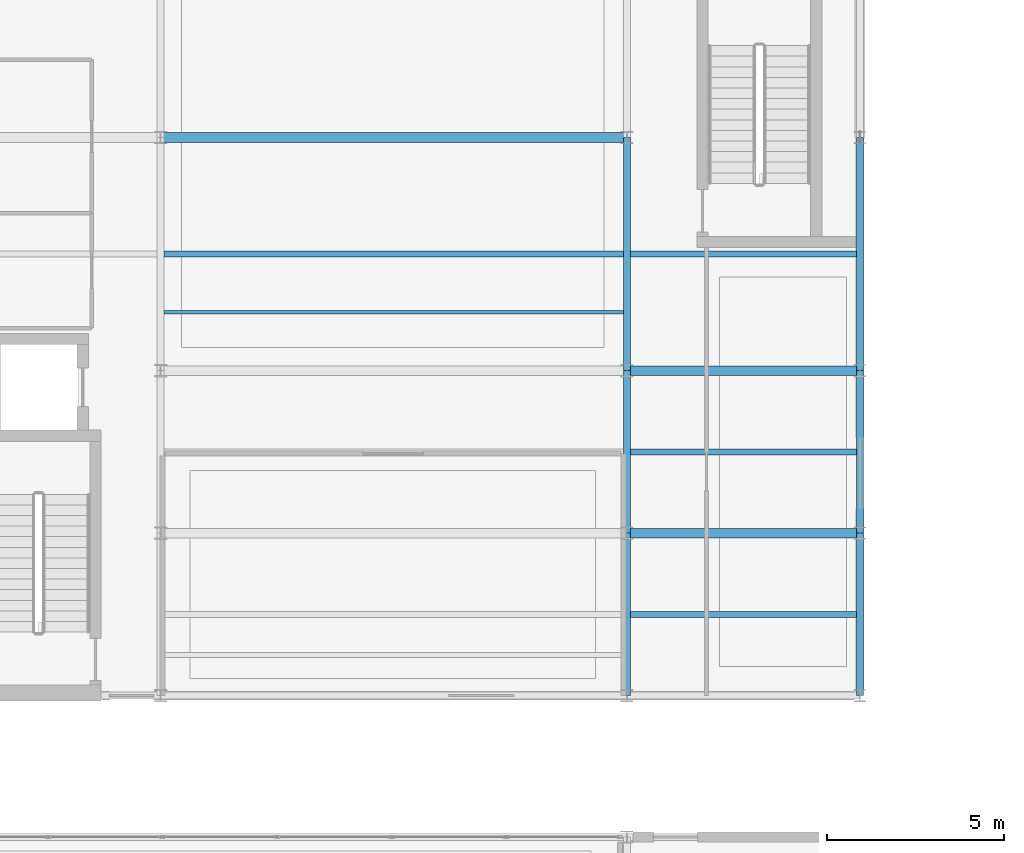
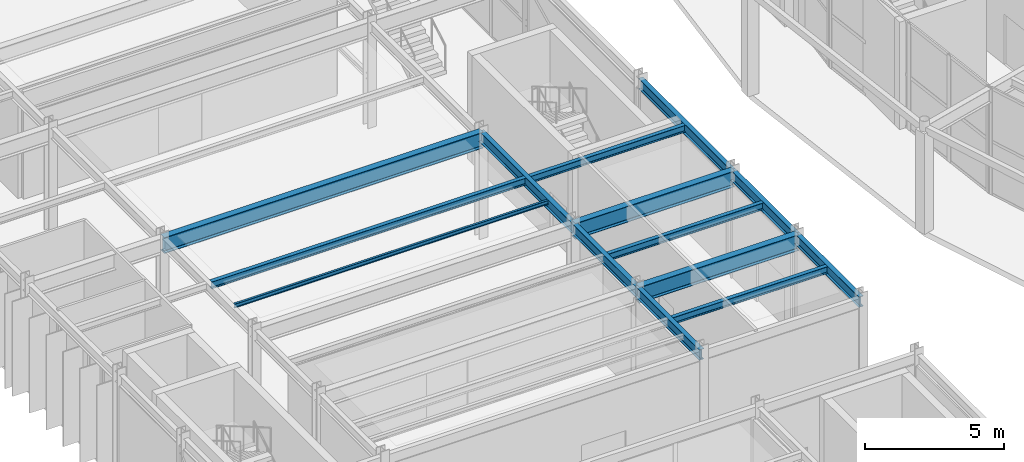
# One storey, part 35 of 144: 14 beams.
"""IFC4 building model written with IfcOpenShell, lengths in metres."""

from ifc_helpers import new_model, si_unit, direction, frame, origin, origin_2d, place, context, subcontext, project, spatial, i_section, extrude, material, material_profile, profile_set, type_object, element, save


model = new_model("IFC4")

# Units and contexts
model_context = context("Model", 3, precision=1e-05, world=origin(), true_north=direction((0.0, 1.0)))
body_context = subcontext(model_context, "Body", "Model", "MODEL_VIEW")
ifc_project = project(units=[si_unit("LENGTHUNIT", "METRE"), si_unit("AREAUNIT", "SQUARE_METRE"), si_unit("VOLUMEUNIT", "CUBIC_METRE"), si_unit("PLANEANGLEUNIT", "RADIAN"), si_unit("MASSUNIT", "GRAM", prefix="KILO")], contexts=[model_context])

# Site, building, storey
site_placement = place(None, origin())
site = spatial("IfcSite", under=ifc_project, at=site_placement, CompositionType="ELEMENT")
building_placement = place(site_placement, origin())
building = spatial("IfcBuilding", under=site, at=building_placement, Name="Karori Crest Natural Sciences Institute", CompositionType="ELEMENT")
storey_placement = place(building_placement, origin())
storey = spatial("IfcBuildingStorey", under=building, at=storey_placement, Name="L00", CompositionType="ELEMENT", Elevation=0.0)

# Beams
ifc_material = material(Name="Structural steel AS/NZS 3679.1 Grade 350", Category="steel")
ifc_material_profile_1 = material_profile(ifc_material, i_section(OverallWidth=0.27490234375, OverallDepth=0.699951171875, WebThickness=0.010009765625, FlangeThickness=0.02001953125, FilletRadius=0.013916015625, at=origin_2d()), Name="700WB150")
ifc_profile_set_1 = profile_set([ifc_material_profile_1], Name="Structural steel AS/NZS 3679.1 Grade 350")
beam_type_1 = type_object("IfcBeamType", Name="BT-03", PredefinedType="BEAM", material=ifc_profile_set_1)
for number, where, z_axis, x_axis, name in (
    (1, (20.60009765625, 35.800048828125, 4.27001953125), (1.0, 0.0, 0.0), (0.0, 1.0, 0.0), "Beam B-0944"),
    (2, (20.60009765625, 40.39990234375, 4.27001953125), (1.0, 0.0, 0.0), (0.0, 1.0, 0.0), "Beam B-0946"),
):
    element("IfcBeam", number, at=place(storey_placement, frame(where, z_axis=z_axis, x_axis=x_axis)), inside=storey, type_object=beam_type_1, Name=name, PredefinedType="BEAM", context=body_context, shape_type="SweptSolid", body=[
        extrude(i_section(OverallWidth=0.27490234375, OverallDepth=0.699951171875, WebThickness=0.010009765625, FlangeThickness=0.02001953125, FilletRadius=0.013916015625, at=origin_2d()), origin(), (0.0, 0.0, 1.0), 6.599853515625),
    ])
beam_1_placement = place(storey_placement, frame((7.39990234375, 47.0, 4.27001953125), z_axis=(1.0, 0.0, 0.0), x_axis=(0.0, 1.0, 0.0)))
element("IfcBeam", 3, at=beam_1_placement, inside=storey, type_object=beam_type_1, Name="Beam B-0948", PredefinedType="BEAM", context=body_context, shape_type="SweptSolid", body=[
    extrude(i_section(OverallWidth=0.27490234375, OverallDepth=0.699951171875, WebThickness=0.010009765625, FlangeThickness=0.02001953125, FilletRadius=0.013916015625, at=origin_2d()), origin(), (0.0, 0.0, 1.0), 13.2001953125),
])
ifc_material_profile_2 = material_profile(ifc_material, i_section(OverallWidth=0.19091796875, OverallDepth=0.4599609375, WebThickness=0.010009765625, FlangeThickness=0.01611328125, FilletRadius=0.010986328125, at=origin_2d()), Name="460UB82.1")
ifc_profile_set_2 = profile_set([ifc_material_profile_2], Name="Structural steel AS/NZS 3679.1 Grade 350")
beam_type_2 = type_object("IfcBeamType", Name="BT-06", PredefinedType="BEAM", material=ifc_profile_set_2)
beam_2_placement = place(storey_placement, frame((20.60009765625, 31.199951171875, 4.389892578125), z_axis=(0.0, 1.0, 0.0), x_axis=(-1.0, 0.0, 0.0)))
element("IfcBeam", 4, at=beam_2_placement, inside=storey, type_object=beam_type_2, Name="Beam B-0974", PredefinedType="BEAM", context=body_context, shape_type="SweptSolid", body=[
    extrude(i_section(OverallWidth=0.19091796875, OverallDepth=0.4599609375, WebThickness=0.010009765625, FlangeThickness=0.01611328125, FilletRadius=0.010986328125, at=origin_2d()), origin(), (0.0, 0.0, 1.0), 4.60009765625),
])
beam_3_placement = place(storey_placement, frame((20.60009765625, 35.800048828125, 4.389892578125), z_axis=(0.0, 1.0, 0.0), x_axis=(-1.0, 0.0, 0.0)))
element("IfcBeam", 5, at=beam_3_placement, inside=storey, type_object=beam_type_2, Name="Beam B-0975", PredefinedType="BEAM", context=body_context, shape_type="SweptSolid", body=[
    extrude(i_section(OverallWidth=0.19091796875, OverallDepth=0.4599609375, WebThickness=0.010009765625, FlangeThickness=0.01611328125, FilletRadius=0.010986328125, at=origin_2d()), origin(), (0.0, 0.0, 1.0), 4.599853515625),
])
beam_4_placement = place(storey_placement, frame((20.60009765625, 40.39990234375, 4.389892578125), z_axis=(0.0, 1.0, 0.0), x_axis=(-1.0, 0.0, 0.0)))
element("IfcBeam", 6, at=beam_4_placement, inside=storey, type_object=beam_type_2, Name="Beam B-0976", PredefinedType="BEAM", context=body_context, shape_type="SweptSolid", body=[
    extrude(i_section(OverallWidth=0.19091796875, OverallDepth=0.4599609375, WebThickness=0.010009765625, FlangeThickness=0.01611328125, FilletRadius=0.010986328125, at=origin_2d()), origin(), (0.0, 0.0, 1.0), 6.60009765625),
])
ifc_material_profile_3 = material_profile(ifc_material, i_section(OverallWidth=0.19091796875, OverallDepth=0.4599609375, WebThickness=0.010009765625, FlangeThickness=0.01611328125, FilletRadius=0.010986328125, at=origin_2d()), Name="460UB82.1")
ifc_profile_set_3 = profile_set([ifc_material_profile_3], Name="Structural steel AS/NZS 3679.1 Grade 350")
beam_type_3 = type_object("IfcBeamType", Name="BT-06-EL", PredefinedType="BEAM", material=ifc_profile_set_3)
beam_5_placement = place(storey_placement, frame((27.199951171875, 31.199951171875, 4.389892578125), z_axis=(0.0, 1.0, 0.0), x_axis=(-1.0, 0.0, 0.0)))
element("IfcBeam", 7, at=beam_5_placement, inside=storey, type_object=beam_type_3, Name="Beam B-0981", PredefinedType="BEAM", context=body_context, shape_type="SweptSolid", body=[
    extrude(i_section(OverallWidth=0.19091796875, OverallDepth=0.4599609375, WebThickness=0.010009765625, FlangeThickness=0.01611328125, FilletRadius=0.010986328125, at=origin_2d()), origin(), (0.0, 0.0, 1.0), 4.60009765625),
])
beam_6_placement = place(storey_placement, frame((27.199951171875, 35.800048828125, 4.389892578125), z_axis=(0.0, 1.0, 0.0), x_axis=(-1.0, 0.0, 0.0)))
element("IfcBeam", 8, at=beam_6_placement, inside=storey, type_object=beam_type_3, Name="Beam B-0982", PredefinedType="BEAM", context=body_context, shape_type="SweptSolid", body=[
    extrude(i_section(OverallWidth=0.19091796875, OverallDepth=0.4599609375, WebThickness=0.010009765625, FlangeThickness=0.01611328125, FilletRadius=0.010986328125, at=origin_2d()), origin(), (0.0, 0.0, 1.0), 4.599853515625),
])
beam_7_placement = place(storey_placement, frame((27.199951171875, 40.39990234375, 4.389892578125), z_axis=(0.0, 1.0, 0.0), x_axis=(-1.0, 0.0, 0.0)))
element("IfcBeam", 9, at=beam_7_placement, inside=storey, type_object=beam_type_3, Name="Beam B-0983", PredefinedType="BEAM", context=body_context, shape_type="SweptSolid", body=[
    extrude(i_section(OverallWidth=0.19091796875, OverallDepth=0.4599609375, WebThickness=0.010009765625, FlangeThickness=0.01611328125, FilletRadius=0.010986328125, at=origin_2d()), origin(), (0.0, 0.0, 1.0), 6.60009765625),
])
ifc_material_profile_4 = material_profile(ifc_material, i_section(OverallWidth=0.166015625, OverallDepth=0.306884765625, WebThickness=0.006591796875, FlangeThickness=0.01171875, FilletRadius=0.010986328125, at=origin_2d()), Name="310UB46.2")
ifc_profile_set_4 = profile_set([ifc_material_profile_4], Name="Structural steel AS/NZS 3679.1 Grade 350")
beam_type_4 = type_object("IfcBeamType", Name="BT-09", PredefinedType="BEAM", material=ifc_profile_set_4)
beam_8_placement = place(storey_placement, frame((7.49560546875, 43.699951171875, 4.466552734375), z_axis=(1.0, 0.0, 0.0), x_axis=(0.0, 1.0, 0.0)))
element("IfcBeam", 10, at=beam_8_placement, inside=storey, type_object=beam_type_4, Name="Beam B-0996", PredefinedType="BEAM", context=body_context, shape_type="SweptSolid", body=[
    extrude(i_section(OverallWidth=0.166015625, OverallDepth=0.306884765625, WebThickness=0.006591796875, FlangeThickness=0.01171875, FilletRadius=0.010986328125, at=origin_2d()), origin(), (0.0, 0.0, 1.0), 13.0087890625),
])
for number, where, z_axis, x_axis, name in (
    (11, (20.695556640625, 33.5, 4.466552734375), (1.0, 0.0, 0.0), (0.0, 1.0, 0.0), "Beam B-1004"),
    (12, (20.695556640625, 38.10009765625, 4.466552734375), (1.0, 0.0, 0.0), (0.0, 1.0, 0.0), "Beam B-1005"),
    (13, (20.695556640625, 43.699951171875, 4.466552734375), (1.0, 0.0, 0.0), (0.0, 1.0, 0.0), "Beam B-1006"),
):
    element("IfcBeam", number, at=place(storey_placement, frame(where, z_axis=z_axis, x_axis=x_axis)), inside=storey, type_object=beam_type_4, Name=name, PredefinedType="BEAM", context=body_context, shape_type="SweptSolid", body=[
        extrude(i_section(OverallWidth=0.166015625, OverallDepth=0.306884765625, WebThickness=0.006591796875, FlangeThickness=0.01171875, FilletRadius=0.010986328125, at=origin_2d()), origin(), (0.0, 0.0, 1.0), 6.408935546875),
    ])
ifc_material_profile_5 = material_profile(ifc_material, i_section(OverallWidth=0.090087890625, OverallDepth=0.178955078125, WebThickness=0.006103515625, FlangeThickness=0.010009765625, FilletRadius=0.009033203125, at=origin_2d()), Name="180UB22.2")
ifc_profile_set_5 = profile_set([ifc_material_profile_5], Name="Structural steel AS/NZS 3679.1 Grade 350")
beam_type_5 = type_object("IfcBeamType", Name="BT-24", PredefinedType="LINTEL", material=ifc_profile_set_5)
beam_9_placement = place(storey_placement, frame((7.49560546875, 42.050048828125, 4.530517578125), z_axis=(1.0, 0.0, 0.0), x_axis=(0.0, 1.0, 0.0)))
element("IfcBeam", 14, at=beam_9_placement, inside=storey, type_object=beam_type_5, Name="Beam B-0997", PredefinedType="LINTEL", context=body_context, shape_type="SweptSolid", body=[
    extrude(i_section(OverallWidth=0.090087890625, OverallDepth=0.178955078125, WebThickness=0.006103515625, FlangeThickness=0.010009765625, FilletRadius=0.009033203125, at=origin_2d()), origin(), (0.0, 0.0, 1.0), 13.0087890625),
])

save(model, "model.ifc")
